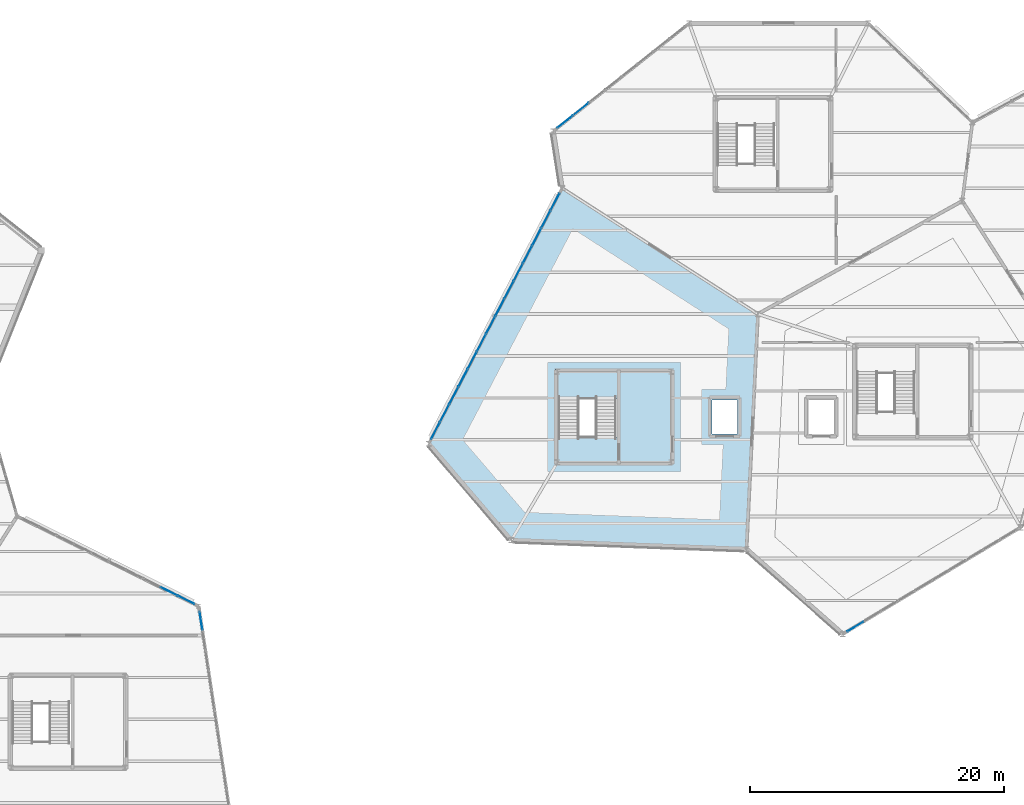
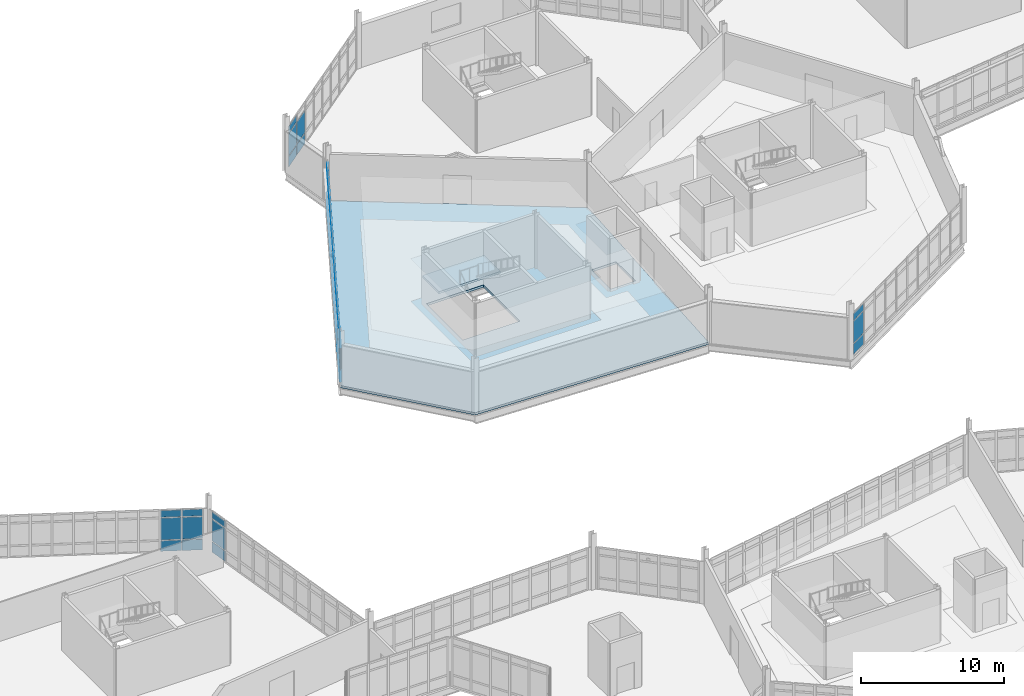
# One storey, part 94 of 134: 59 plates, 2 slabs, 6 elements without a shape of their own.
"""IFC4 building model written with IfcOpenShell, lengths in metres."""

import ifcopenshell
import ifcopenshell.guid

model = None  # the IFC model being written
_history = None  # IfcOwnerHistory: only IFC2X3 demands one
_inside = {}  # id of a spatial element -> (the spatial element, [elements in it])
_under = {}  # id of a project, library or spatial element -> (it, [spatial elements below it])
_declared = {}  # id of a project -> (the project, [libraries it declares])
_typed = {}  # id of a type object -> (the type object, [elements of that type])
_made_of = {}  # id of a material, layer set ... -> (it, [elements and type objects made of it])


def new_model(schema):
    """Start an empty IFC model of exactly this schema.

    Asked for "IFC4X3", IfcOpenShell would pick the latest addendum, in which some entities
    have other attributes; the version numbers below select the first issue.
    IFC2X3 requires an IfcOwnerHistory on every rooted entity: one is made here for all.
    """
    global model, _history
    if schema == "IFC4X3":
        model = ifcopenshell.file(schema_version=(4, 3, 0, 0))
    else:
        model = ifcopenshell.file(schema=schema)
    _inside.clear()
    _under.clear()
    _declared.clear()
    _typed.clear()
    _made_of.clear()
    _history = None
    if model.schema == "IFC2X3":
        org = make("IfcOrganization", Name="unknown")
        user = make(
            "IfcPersonAndOrganization",
            ThePerson=make("IfcPerson", FamilyName="unknown"),
            TheOrganization=org,
        )
        app = make(
            "IfcApplication",
            ApplicationDeveloper=org,
            Version="unknown",
            ApplicationFullName="unknown",
            ApplicationIdentifier="unknown",
        )
        _history = make(
            "IfcOwnerHistory",
            OwningUser=user,
            OwningApplication=app,
            ChangeAction="ADDED",
            CreationDate=0,
        )
    return model


def make(cls, **values):
    """One entity of the class cls with the attributes given. An attribute that is None is left unset."""
    return model.create_entity(
        cls, **{name: value for name, value in values.items() if value is not None}
    )


def rooted(cls, **values):
    """An entity with a GlobalId (a new one), such as an element, a storey or a relation."""
    return make(cls, GlobalId=ifcopenshell.guid.new(), OwnerHistory=_history, **values)


def si_unit(unit_type, name, prefix=None):
    """IfcSIUnit, for example si_unit("LENGTHUNIT", "METRE", prefix="MILLI")."""
    return make("IfcSIUnit", UnitType=unit_type, Prefix=prefix, Name=name)


def assignment(units):
    """IfcUnitAssignment: the units of a project."""
    return None if units is None else make("IfcUnitAssignment", Units=units)


def point(xyz):
    """IfcCartesianPoint."""
    return None if xyz is None else make("IfcCartesianPoint", Coordinates=xyz)


def direction(xyz):
    """IfcDirection."""
    return None if xyz is None else make("IfcDirection", DirectionRatios=xyz)


def frame(location, z_axis=None, x_axis=None):
    """IfcAxis2Placement3D, a coordinate frame: its origin and axes. An axis left out is left unset."""
    return make(
        "IfcAxis2Placement3D",
        Location=point(location),
        Axis=direction(z_axis),
        RefDirection=direction(x_axis),
    )


def frame_2d(location, x_axis=None):
    """IfcAxis2Placement2D, a coordinate frame in the plane: its origin and x axis."""
    return make(
        "IfcAxis2Placement2D", Location=point(location), RefDirection=direction(x_axis)
    )


def origin():
    """The frame at (0, 0, 0) with its axes left unset."""
    return frame((0.0, 0.0, 0.0))


def origin_2d():
    """The frame at (0, 0) in the plane with its x axis left unset."""
    return frame_2d((0.0, 0.0))


def place(relative_to, where):
    """IfcLocalPlacement: puts the frame where relative to a parent placement (None: the world)."""
    return make(
        "IfcLocalPlacement", PlacementRelTo=relative_to, RelativePlacement=where
    )


def context(
    kind, dimensions, precision=None, world=None, true_north=None, identifier=None
):
    """IfcGeometricRepresentationContext, for example the 3D "Model" context."""
    return make(
        "IfcGeometricRepresentationContext",
        ContextIdentifier=identifier,
        ContextType=kind,
        CoordinateSpaceDimension=dimensions,
        Precision=precision,
        WorldCoordinateSystem=world,
        TrueNorth=true_north,
    )


def subcontext(parent, identifier, kind, view, scale=None):
    """IfcGeometricRepresentationSubContext, for example "Body" below "Model"."""
    return make(
        "IfcGeometricRepresentationSubContext",
        ContextIdentifier=identifier,
        ContextType=kind,
        ParentContext=parent,
        TargetScale=scale,
        TargetView=view,
    )


def project(units=None, contexts=None):
    """IfcProject with its units and contexts."""
    return rooted(
        "IfcProject",
        Name="project",
        RepresentationContexts=contexts,
        UnitsInContext=assignment(units),
    )


def spatial(cls, under=None, at=None, **own):
    """A site, building, storey or space (cls), placed at a placement, below another one or the project."""
    s = rooted(cls, ObjectPlacement=at, **own)
    if under is not None:
        _under.setdefault(under.id(), (under, []))[1].append(s)
    return s


def polyline(points):
    """IfcPolyline through the points."""
    return make("IfcPolyline", Points=[point(p) for p in points])


def profile(cls, at=None, kind="AREA", **sizes):
    """A parametric profile (cls). Its sizes go by their IFC names, for example OverallWidth=200.0."""
    return make(cls, ProfileType=kind, Position=at, **sizes)


def rectangle(**sizes):
    """IfcRectangleProfileDef."""
    return profile("IfcRectangleProfileDef", **sizes)


def outline(outer, holes=None, kind="AREA"):
    """IfcArbitraryClosedProfileDef: a profile drawn as a closed curve; with holes, ...WithVoids."""
    if holes is None:
        return make("IfcArbitraryClosedProfileDef", ProfileType=kind, OuterCurve=outer)
    return make(
        "IfcArbitraryProfileDefWithVoids",
        ProfileType=kind,
        OuterCurve=outer,
        InnerCurves=holes,
    )


def extrude(swept, where, along, depth):
    """IfcExtrudedAreaSolid: the profile swept, set in the frame where, extruded along a direction by depth."""
    return make(
        "IfcExtrudedAreaSolid",
        SweptArea=swept,
        Position=where,
        ExtrudedDirection=direction(along),
        Depth=depth,
    )


def shape(context_of_items, identifier, shape_type, items):
    """IfcShapeRepresentation: the items that make up one representation, for example the "Body"."""
    return make(
        "IfcShapeRepresentation",
        ContextOfItems=context_of_items,
        RepresentationIdentifier=identifier,
        RepresentationType=shape_type,
        Items=items,
    )


def material(Name=None, Category=None):
    """IfcMaterial."""
    return make("IfcMaterial", Name=Name, Category=Category)


def layer(
    of_material, thickness, ventilated=None, Name=None, Category=None, Priority=None
):
    """IfcMaterialLayer: one layer of a wall or slab, of a material (None: an air gap)."""
    return make(
        "IfcMaterialLayer",
        Material=of_material,
        LayerThickness=thickness,
        IsVentilated=ventilated,
        Name=Name,
        Category=Category,
        Priority=Priority,
    )


def layer_set(layers, Name=None):
    """IfcMaterialLayerSet."""
    return make("IfcMaterialLayerSet", MaterialLayers=layers, LayerSetName=Name)


def made_of(thing, what):
    """Note that an element or type object is made of a material, layer set ...; save() writes the relation."""
    if what is not None:
        _made_of.setdefault(what.id(), (what, []))[1].append(thing)
    return thing


def type_object(cls, material=None, **own):
    """A type object (cls), such as IfcWallType, which elements share."""
    return made_of(rooted(cls, **own), material)


def element(
    cls,
    number,
    at=None,
    inside=None,
    cuts=None,
    type_object=None,
    material=None,
    context=None,
    identifier="Body",
    shape_type=None,
    held_by="IfcProductDefinitionShape",
    body=None,
    shapes=None,
    **own,
):
    """One element of the class cls, such as IfcWall. Its Tag is "e" and its number.

    at: its placement. inside: the storey or other place that contains it. cuts: it is an
    opening in that element (IfcRelVoidsElement). A single representation is given by context,
    identifier, shape_type and body (its items); several are given by shapes. held_by: the class
    of the entity that holds the representations. save() writes the other relations.
    """
    e = rooted(cls, Tag="e%d" % number, ObjectPlacement=at, **own)
    if body is not None:
        shapes = [shape(context, identifier, shape_type, body)]
    if shapes is not None:
        e.Representation = make(held_by, Representations=shapes)
    if inside is not None:
        _inside.setdefault(inside.id(), (inside, []))[1].append(e)
    if cuts is not None:
        rooted(
            "IfcRelVoidsElement", RelatingBuildingElement=cuts, RelatedOpeningElement=e
        )
    if type_object is not None:
        _typed.setdefault(type_object.id(), (type_object, []))[1].append(e)
    return made_of(e, material)


def aggregate(whole, parts):
    """IfcRelAggregates: a whole, such as a stair, and the parts it consists of."""
    return rooted("IfcRelAggregates", RelatingObject=whole, RelatedObjects=parts)


def save(model, path):
    """Write the relations noted so far, then the file.

    IfcRelAggregates (storeys below a building ...), IfcRelContainedInSpatialStructure (elements
    in a storey), IfcRelDefinesByType, IfcRelAssociatesMaterial and IfcRelDeclares: one each for
    every whole, place, type object, material and project.
    """
    for whole, parts in _under.values():
        aggregate(whole, parts)
    for where, things in _inside.values():
        rooted(
            "IfcRelContainedInSpatialStructure",
            RelatedElements=things,
            RelatingStructure=where,
        )
    for kind, things in _typed.values():
        rooted("IfcRelDefinesByType", RelatedObjects=things, RelatingType=kind)
    for what, things in _made_of.values():
        rooted("IfcRelAssociatesMaterial", RelatedObjects=things, RelatingMaterial=what)
    for by, libraries in _declared.values():
        rooted("IfcRelDeclares", RelatingContext=by, RelatedDefinitions=libraries)
    model.write(path)


model = new_model("IFC4")

# Units and contexts
model_context = context("Model", 3, precision=1e-05, world=origin(), true_north=direction((0.0, 1.0)))
body_context = subcontext(model_context, "Body", "Model", "MODEL_VIEW")
ifc_project = project(units=[si_unit("LENGTHUNIT", "METRE"), si_unit("AREAUNIT", "SQUARE_METRE"), si_unit("VOLUMEUNIT", "CUBIC_METRE"), si_unit("PLANEANGLEUNIT", "RADIAN"), si_unit("MASSUNIT", "GRAM", prefix="KILO")], contexts=[model_context])

# Site, building, storey
site_placement = place(None, origin())
site = spatial("IfcSite", under=ifc_project, at=site_placement, CompositionType="ELEMENT")
building_placement = place(site_placement, origin())
building = spatial("IfcBuilding", under=site, at=building_placement, Name="Tameran Prism Museum", CompositionType="ELEMENT")
storey_placement = place(building_placement, frame((0.0, 0.0, 5.39990234375)))
storey = spatial("IfcBuildingStorey", under=building, at=storey_placement, Name="L01", CompositionType="ELEMENT", Elevation=5.39990234375)

# Curtain wall, plates
ifc_material_1 = material(Name="Anodised Aluminium 6063-T6 and Cyclone Solar Glass", Category="aluminium")
curtain_wall_type_1 = type_object("IfcCurtainWallType", Name="CW-FAC-1563x362", PredefinedType="USERDEFINED", material=ifc_material_1)
curtain_wall_1_placement = place(storey_placement, origin())
curtain_wall_1 = element("IfcCurtainWall", 1, at=curtain_wall_1_placement, inside=storey, type_object=curtain_wall_type_1, Name="Unitised Curtain Wall CW-056", ObjectType="UNITISED CURTAIN WALL", PredefinedType="USERDEFINED")
ifc_material_2 = material(Name="Low-E Laminated Solar Glass", Category="glass")
ifc_layer_1 = layer(ifc_material_2, 0.028076171875)
ifc_layer_set_1 = layer_set([ifc_layer_1])
plate_type_1 = type_object("IfcPlateType", Name="CW-PNL-G28", PredefinedType="CURTAIN_PANEL", material=ifc_layer_set_1)
plate_1_placement = place(storey_placement, frame((126.485107421875, 64.490966796875, 0.070068359375), z_axis=(0.0, 0.0, 1.0), x_axis=(-0.857492925713, -0.514495755426, 0.0)))
plate_1 = element("IfcPlate", 2, at=plate_1_placement, type_object=plate_type_1, Name="CW-056 panel 10.1", PredefinedType="CURTAIN_PANEL", context=body_context, shape_type="SweptSolid", body=[
    extrude(rectangle(XDim=1.457763671875, YDim=0.028076171875, at=origin_2d()), origin(), (0.0, 0.0, 1.0), 0.89501953125),
])
plate_2_placement = place(storey_placement, frame((126.485107421875, 64.490966796875, 1.03515625), z_axis=(0.0, 0.0, 1.0), x_axis=(-0.857492925713, -0.514495755426, 0.0)))
plate_2 = element("IfcPlate", 3, at=plate_2_placement, type_object=plate_type_1, Name="CW-056 panel 10.2", PredefinedType="CURTAIN_PANEL", context=body_context, shape_type="SweptSolid", body=[
    extrude(rectangle(XDim=1.457763671875, YDim=0.028076171875, at=origin_2d()), origin(), (0.0, 0.0, 1.0), 1.8701171875),
])
plate_3_placement = place(storey_placement, frame((126.485107421875, 64.490966796875, 2.97509765625), z_axis=(0.0, 0.0, 1.0), x_axis=(-0.857492925713, -0.514495755426, 0.0)))
plate_3 = element("IfcPlate", 4, at=plate_3_placement, type_object=plate_type_1, Name="CW-056 panel 10.3", PredefinedType="CURTAIN_PANEL", context=body_context, shape_type="SweptSolid", body=[
    extrude(rectangle(XDim=1.457763671875, YDim=0.028076171875, at=origin_2d()), origin(), (0.0, 0.0, 1.0), 0.574951171875),
])
aggregate(curtain_wall_1, [plate_1, plate_2, plate_3])

ifc_material_3 = material(Name="Anodised Aluminium 6063-T6 and Cyclone Solar Glass", Category="aluminium")
curtain_wall_type_2 = type_object("IfcCurtainWallType", Name="CW-FAC-1734x362", PredefinedType="USERDEFINED", material=ifc_material_3)
curtain_wall_2_placement = place(storey_placement, origin())
curtain_wall_2 = element("IfcCurtainWall", 5, at=curtain_wall_2_placement, inside=storey, type_object=curtain_wall_type_2, Name="Unitised Curtain Wall CW-070", ObjectType="UNITISED CURTAIN WALL", PredefinedType="USERDEFINED")
plate_4_placement = place(storey_placement, frame((74.97265625, 64.954833984375, 0.080078125), z_axis=(0.0, 0.0, 1.0), x_axis=(0.149166532852, -0.988812088052, 0.0)))
plate_4 = element("IfcPlate", 6, at=plate_4_placement, type_object=plate_type_1, Name="CW-070 panel 1.1", PredefinedType="CURTAIN_PANEL", context=body_context, shape_type="SweptSolid", body=[
    extrude(rectangle(XDim=1.45654296875, YDim=0.028076171875, at=origin_2d()), origin(), (0.0, 0.0, 1.0), 0.8798828125),
])
plate_5_placement = place(storey_placement, frame((74.97265625, 64.954833984375, 1.0400390625), z_axis=(0.0, 0.0, 1.0), x_axis=(0.149166532852, -0.988812088052, 0.0)))
plate_5 = element("IfcPlate", 7, at=plate_5_placement, type_object=plate_type_1, Name="CW-070 panel 1.2", PredefinedType="CURTAIN_PANEL", context=body_context, shape_type="SweptSolid", body=[
    extrude(rectangle(XDim=1.45654296875, YDim=0.028076171875, at=origin_2d()), origin(), (0.0, 0.0, 1.0), 1.860107421875),
])
plate_6_placement = place(storey_placement, frame((74.97265625, 64.954833984375, 2.97998046875), z_axis=(0.0, 0.0, 1.0), x_axis=(0.149166532852, -0.988812088052, 0.0)))
plate_6 = element("IfcPlate", 8, at=plate_6_placement, type_object=plate_type_1, Name="CW-070 panel 1.3", PredefinedType="CURTAIN_PANEL", context=body_context, shape_type="SweptSolid", body=[
    extrude(rectangle(XDim=1.45654296875, YDim=0.028076171875, at=origin_2d()), origin(), (0.0, 0.0, 1.0), 0.56005859375),
])
aggregate(curtain_wall_2, [plate_4, plate_5, plate_6])

ifc_material_4 = material(Name="Anodised Aluminium 6063-T6 and Cyclone Solar Glass", Category="aluminium")
curtain_wall_type_3 = type_object("IfcCurtainWallType", Name="CW-FAC-2192x362", PredefinedType="USERDEFINED", material=ifc_material_4)
curtain_wall_3_placement = place(storey_placement, origin())
curtain_wall_3 = element("IfcCurtainWall", 9, at=curtain_wall_3_placement, inside=storey, type_object=curtain_wall_type_3, Name="Unitised Curtain Wall CW-055", ObjectType="UNITISED CURTAIN WALL", PredefinedType="USERDEFINED")
ifc_material_5 = material(Name="Cyclone Laminated Solar Glass", Category="glass")
ifc_layer_2 = layer(ifc_material_5, 0.031982421875)
ifc_layer_set_2 = layer_set([ifc_layer_2])
plate_type_2 = type_object("IfcPlateType", Name="CW-PNL-G32", PredefinedType="CURTAIN_PANEL", material=ifc_layer_set_2)
plate_7_placement = place(storey_placement, frame((93.431884765625, 79.918212890625, 0.06494140625), z_axis=(0.0, 0.0, 1.0), x_axis=(0.463002540551, 0.886356952612, 0.0)))
plate_7 = element("IfcPlate", 10, at=plate_7_placement, type_object=plate_type_2, Name="CW-055 panel 1.1", PredefinedType="CURTAIN_PANEL", context=body_context, shape_type="SweptSolid", body=[
    extrude(rectangle(XDim=1.468017578125, YDim=0.031982421875, at=origin_2d()), origin(), (0.0, 0.0, 1.0), 0.902587890625),
])
plate_8_placement = place(storey_placement, frame((93.431884765625, 79.918212890625, 1.03271484375), z_axis=(0.0, 0.0, 1.0), x_axis=(0.463002540551, 0.886356952612, 0.0)))
plate_8 = element("IfcPlate", 11, at=plate_8_placement, type_object=plate_type_2, Name="CW-055 panel 1.2", PredefinedType="CURTAIN_PANEL", context=body_context, shape_type="SweptSolid", body=[
    extrude(rectangle(XDim=1.468017578125, YDim=0.031982421875, at=origin_2d()), origin(), (0.0, 0.0, 1.0), 1.875),
])
plate_9_placement = place(storey_placement, frame((93.431884765625, 79.918212890625, 2.97265625), z_axis=(0.0, 0.0, 1.0), x_axis=(0.463002540551, 0.886356952612, 0.0)))
plate_9 = element("IfcPlate", 12, at=plate_9_placement, type_object=plate_type_2, Name="CW-055 panel 1.3", PredefinedType="CURTAIN_PANEL", context=body_context, shape_type="SweptSolid", body=[
    extrude(rectangle(XDim=1.468017578125, YDim=0.031982421875, at=origin_2d()), origin(), (0.0, 0.0, 1.0), 0.58251953125),
])
plate_10_placement = place(storey_placement, frame((94.149169921875, 81.29150390625, 0.06494140625), z_axis=(0.0, 0.0, 1.0), x_axis=(0.463002540551, 0.886356952612, 0.0)))
plate_10 = element("IfcPlate", 13, at=plate_10_placement, type_object=plate_type_2, Name="CW-055 panel 2.1", PredefinedType="CURTAIN_PANEL", context=body_context, shape_type="SweptSolid", body=[
    extrude(rectangle(XDim=1.50048828125, YDim=0.031982421875, at=origin_2d()), origin(), (0.0, 0.0, 1.0), 0.902587890625),
])
plate_11_placement = place(storey_placement, frame((94.149169921875, 81.29150390625, 1.03271484375), z_axis=(0.0, 0.0, 1.0), x_axis=(0.463002540551, 0.886356952612, 0.0)))
plate_11 = element("IfcPlate", 14, at=plate_11_placement, type_object=plate_type_2, Name="CW-055 panel 2.2", PredefinedType="CURTAIN_PANEL", context=body_context, shape_type="SweptSolid", body=[
    extrude(rectangle(XDim=1.50048828125, YDim=0.031982421875, at=origin_2d()), origin(), (0.0, 0.0, 1.0), 1.875),
])
plate_12_placement = place(storey_placement, frame((94.149169921875, 81.29150390625, 2.97265625), z_axis=(0.0, 0.0, 1.0), x_axis=(0.463002540551, 0.886356952612, 0.0)))
plate_12 = element("IfcPlate", 15, at=plate_12_placement, type_object=plate_type_2, Name="CW-055 panel 2.3", PredefinedType="CURTAIN_PANEL", context=body_context, shape_type="SweptSolid", body=[
    extrude(rectangle(XDim=1.50048828125, YDim=0.031982421875, at=origin_2d()), origin(), (0.0, 0.0, 1.0), 0.58251953125),
])
plate_13_placement = place(storey_placement, frame((94.8740234375, 82.67919921875, 0.06494140625), z_axis=(0.0, 0.0, 1.0), x_axis=(0.463002540551, 0.886356952612, 0.0)))
plate_13 = element("IfcPlate", 16, at=plate_13_placement, type_object=plate_type_2, Name="CW-055 panel 3.1", PredefinedType="CURTAIN_PANEL", context=body_context, shape_type="SweptSolid", body=[
    extrude(rectangle(XDim=1.50048828125, YDim=0.031982421875, at=origin_2d()), origin(), (0.0, 0.0, 1.0), 0.902587890625),
])
plate_14_placement = place(storey_placement, frame((94.8740234375, 82.67919921875, 1.03271484375), z_axis=(0.0, 0.0, 1.0), x_axis=(0.463002540551, 0.886356952612, 0.0)))
plate_14 = element("IfcPlate", 17, at=plate_14_placement, type_object=plate_type_2, Name="CW-055 panel 3.2", PredefinedType="CURTAIN_PANEL", context=body_context, shape_type="SweptSolid", body=[
    extrude(rectangle(XDim=1.50048828125, YDim=0.031982421875, at=origin_2d()), origin(), (0.0, 0.0, 1.0), 1.875),
])
plate_15_placement = place(storey_placement, frame((94.8740234375, 82.67919921875, 2.97265625), z_axis=(0.0, 0.0, 1.0), x_axis=(0.463002540551, 0.886356952612, 0.0)))
plate_15 = element("IfcPlate", 18, at=plate_15_placement, type_object=plate_type_2, Name="CW-055 panel 3.3", PredefinedType="CURTAIN_PANEL", context=body_context, shape_type="SweptSolid", body=[
    extrude(rectangle(XDim=1.50048828125, YDim=0.031982421875, at=origin_2d()), origin(), (0.0, 0.0, 1.0), 0.58251953125),
])
plate_16_placement = place(storey_placement, frame((95.59912109375, 84.066650390625, 0.06494140625), z_axis=(0.0, 0.0, 1.0), x_axis=(0.463002540551, 0.886356952612, 0.0)))
plate_16 = element("IfcPlate", 19, at=plate_16_placement, type_object=plate_type_2, Name="CW-055 panel 4.1", PredefinedType="CURTAIN_PANEL", context=body_context, shape_type="SweptSolid", body=[
    extrude(rectangle(XDim=1.50048828125, YDim=0.031982421875, at=origin_2d()), origin(), (0.0, 0.0, 1.0), 0.902587890625),
])
plate_17_placement = place(storey_placement, frame((95.59912109375, 84.066650390625, 1.03271484375), z_axis=(0.0, 0.0, 1.0), x_axis=(0.463002540551, 0.886356952612, 0.0)))
plate_17 = element("IfcPlate", 20, at=plate_17_placement, type_object=plate_type_2, Name="CW-055 panel 4.2", PredefinedType="CURTAIN_PANEL", context=body_context, shape_type="SweptSolid", body=[
    extrude(rectangle(XDim=1.50048828125, YDim=0.031982421875, at=origin_2d()), origin(), (0.0, 0.0, 1.0), 1.875),
])
plate_18_placement = place(storey_placement, frame((95.59912109375, 84.066650390625, 2.97265625), z_axis=(0.0, 0.0, 1.0), x_axis=(0.463002540551, 0.886356952612, 0.0)))
plate_18 = element("IfcPlate", 21, at=plate_18_placement, type_object=plate_type_2, Name="CW-055 panel 4.3", PredefinedType="CURTAIN_PANEL", context=body_context, shape_type="SweptSolid", body=[
    extrude(rectangle(XDim=1.50048828125, YDim=0.031982421875, at=origin_2d()), origin(), (0.0, 0.0, 1.0), 0.58251953125),
])
plate_19_placement = place(storey_placement, frame((96.323974609375, 85.454345703125, 0.06494140625), z_axis=(0.0, 0.0, 1.0), x_axis=(0.463002540551, 0.886356952612, 0.0)))
plate_19 = element("IfcPlate", 22, at=plate_19_placement, type_object=plate_type_2, Name="CW-055 panel 5.1", PredefinedType="CURTAIN_PANEL", context=body_context, shape_type="SweptSolid", body=[
    extrude(rectangle(XDim=1.50048828125, YDim=0.031982421875, at=origin_2d()), origin(), (0.0, 0.0, 1.0), 0.902587890625),
])
plate_20_placement = place(storey_placement, frame((96.323974609375, 85.454345703125, 1.03271484375), z_axis=(0.0, 0.0, 1.0), x_axis=(0.463002540551, 0.886356952612, 0.0)))
plate_20 = element("IfcPlate", 23, at=plate_20_placement, type_object=plate_type_2, Name="CW-055 panel 5.2", PredefinedType="CURTAIN_PANEL", context=body_context, shape_type="SweptSolid", body=[
    extrude(rectangle(XDim=1.50048828125, YDim=0.031982421875, at=origin_2d()), origin(), (0.0, 0.0, 1.0), 1.875),
])
plate_21_placement = place(storey_placement, frame((96.323974609375, 85.454345703125, 2.97265625), z_axis=(0.0, 0.0, 1.0), x_axis=(0.463002540551, 0.886356952612, 0.0)))
plate_21 = element("IfcPlate", 24, at=plate_21_placement, type_object=plate_type_2, Name="CW-055 panel 5.3", PredefinedType="CURTAIN_PANEL", context=body_context, shape_type="SweptSolid", body=[
    extrude(rectangle(XDim=1.50048828125, YDim=0.031982421875, at=origin_2d()), origin(), (0.0, 0.0, 1.0), 0.58251953125),
])
plate_22_placement = place(storey_placement, frame((97.048828125, 86.842041015625, 0.06494140625), z_axis=(0.0, 0.0, 1.0), x_axis=(0.463002540551, 0.886356952612, 0.0)))
plate_22 = element("IfcPlate", 25, at=plate_22_placement, type_object=plate_type_2, Name="CW-055 panel 6.1", PredefinedType="CURTAIN_PANEL", context=body_context, shape_type="SweptSolid", body=[
    extrude(rectangle(XDim=1.50048828125, YDim=0.031982421875, at=origin_2d()), origin(), (0.0, 0.0, 1.0), 0.902587890625),
])
plate_23_placement = place(storey_placement, frame((97.048828125, 86.842041015625, 1.03271484375), z_axis=(0.0, 0.0, 1.0), x_axis=(0.463002540551, 0.886356952612, 0.0)))
plate_23 = element("IfcPlate", 26, at=plate_23_placement, type_object=plate_type_2, Name="CW-055 panel 6.2", PredefinedType="CURTAIN_PANEL", context=body_context, shape_type="SweptSolid", body=[
    extrude(rectangle(XDim=1.50048828125, YDim=0.031982421875, at=origin_2d()), origin(), (0.0, 0.0, 1.0), 1.875),
])
plate_24_placement = place(storey_placement, frame((97.048828125, 86.842041015625, 2.97265625), z_axis=(0.0, 0.0, 1.0), x_axis=(0.463002540551, 0.886356952612, 0.0)))
plate_24 = element("IfcPlate", 27, at=plate_24_placement, type_object=plate_type_2, Name="CW-055 panel 6.3", PredefinedType="CURTAIN_PANEL", context=body_context, shape_type="SweptSolid", body=[
    extrude(rectangle(XDim=1.50048828125, YDim=0.031982421875, at=origin_2d()), origin(), (0.0, 0.0, 1.0), 0.58251953125),
])
plate_25_placement = place(storey_placement, frame((97.773681640625, 88.229736328125, 0.06494140625), z_axis=(0.0, 0.0, 1.0), x_axis=(0.463002540551, 0.886356952612, 0.0)))
plate_25 = element("IfcPlate", 28, at=plate_25_placement, type_object=plate_type_2, Name="CW-055 panel 7.1", PredefinedType="CURTAIN_PANEL", context=body_context, shape_type="SweptSolid", body=[
    extrude(rectangle(XDim=1.50048828125, YDim=0.031982421875, at=origin_2d()), origin(), (0.0, 0.0, 1.0), 0.902587890625),
])
plate_26_placement = place(storey_placement, frame((97.773681640625, 88.229736328125, 1.03271484375), z_axis=(0.0, 0.0, 1.0), x_axis=(0.463002540551, 0.886356952612, 0.0)))
plate_26 = element("IfcPlate", 29, at=plate_26_placement, type_object=plate_type_2, Name="CW-055 panel 7.2", PredefinedType="CURTAIN_PANEL", context=body_context, shape_type="SweptSolid", body=[
    extrude(rectangle(XDim=1.50048828125, YDim=0.031982421875, at=origin_2d()), origin(), (0.0, 0.0, 1.0), 1.875),
])
plate_27_placement = place(storey_placement, frame((97.773681640625, 88.229736328125, 2.97265625), z_axis=(0.0, 0.0, 1.0), x_axis=(0.463002540551, 0.886356952612, 0.0)))
plate_27 = element("IfcPlate", 30, at=plate_27_placement, type_object=plate_type_2, Name="CW-055 panel 7.3", PredefinedType="CURTAIN_PANEL", context=body_context, shape_type="SweptSolid", body=[
    extrude(rectangle(XDim=1.50048828125, YDim=0.031982421875, at=origin_2d()), origin(), (0.0, 0.0, 1.0), 0.58251953125),
])
plate_28_placement = place(storey_placement, frame((98.49853515625, 89.617431640625, 0.06494140625), z_axis=(0.0, 0.0, 1.0), x_axis=(0.463002540551, 0.886356952612, 0.0)))
plate_28 = element("IfcPlate", 31, at=plate_28_placement, type_object=plate_type_2, Name="CW-055 panel 8.1", PredefinedType="CURTAIN_PANEL", context=body_context, shape_type="SweptSolid", body=[
    extrude(rectangle(XDim=1.50048828125, YDim=0.031982421875, at=origin_2d()), origin(), (0.0, 0.0, 1.0), 0.902587890625),
])
plate_29_placement = place(storey_placement, frame((98.49853515625, 89.617431640625, 1.03271484375), z_axis=(0.0, 0.0, 1.0), x_axis=(0.463002540551, 0.886356952612, 0.0)))
plate_29 = element("IfcPlate", 32, at=plate_29_placement, type_object=plate_type_2, Name="CW-055 panel 8.2", PredefinedType="CURTAIN_PANEL", context=body_context, shape_type="SweptSolid", body=[
    extrude(rectangle(XDim=1.50048828125, YDim=0.031982421875, at=origin_2d()), origin(), (0.0, 0.0, 1.0), 1.875),
])
plate_30_placement = place(storey_placement, frame((98.49853515625, 89.617431640625, 2.97265625), z_axis=(0.0, 0.0, 1.0), x_axis=(0.463002540551, 0.886356952612, 0.0)))
plate_30 = element("IfcPlate", 33, at=plate_30_placement, type_object=plate_type_2, Name="CW-055 panel 8.3", PredefinedType="CURTAIN_PANEL", context=body_context, shape_type="SweptSolid", body=[
    extrude(rectangle(XDim=1.50048828125, YDim=0.031982421875, at=origin_2d()), origin(), (0.0, 0.0, 1.0), 0.58251953125),
])
plate_31_placement = place(storey_placement, frame((99.223388671875, 91.0048828125, 0.06494140625), z_axis=(0.0, 0.0, 1.0), x_axis=(0.463002540551, 0.886356952612, 0.0)))
plate_31 = element("IfcPlate", 34, at=plate_31_placement, type_object=plate_type_2, Name="CW-055 panel 9.1", PredefinedType="CURTAIN_PANEL", context=body_context, shape_type="SweptSolid", body=[
    extrude(rectangle(XDim=1.50048828125, YDim=0.031982421875, at=origin_2d()), origin(), (0.0, 0.0, 1.0), 0.902587890625),
])
plate_32_placement = place(storey_placement, frame((99.223388671875, 91.0048828125, 1.03271484375), z_axis=(0.0, 0.0, 1.0), x_axis=(0.463002540551, 0.886356952612, 0.0)))
plate_32 = element("IfcPlate", 35, at=plate_32_placement, type_object=plate_type_2, Name="CW-055 panel 9.2", PredefinedType="CURTAIN_PANEL", context=body_context, shape_type="SweptSolid", body=[
    extrude(rectangle(XDim=1.50048828125, YDim=0.031982421875, at=origin_2d()), origin(), (0.0, 0.0, 1.0), 1.875),
])
plate_33_placement = place(storey_placement, frame((99.223388671875, 91.0048828125, 2.97265625), z_axis=(0.0, 0.0, 1.0), x_axis=(0.463002540551, 0.886356952612, 0.0)))
plate_33 = element("IfcPlate", 36, at=plate_33_placement, type_object=plate_type_2, Name="CW-055 panel 9.3", PredefinedType="CURTAIN_PANEL", context=body_context, shape_type="SweptSolid", body=[
    extrude(rectangle(XDim=1.50048828125, YDim=0.031982421875, at=origin_2d()), origin(), (0.0, 0.0, 1.0), 0.58251953125),
])
plate_34_placement = place(storey_placement, frame((99.9482421875, 92.392578125, 0.06494140625), z_axis=(0.0, 0.0, 1.0), x_axis=(0.463002540551, 0.886356952612, 0.0)))
plate_34 = element("IfcPlate", 37, at=plate_34_placement, type_object=plate_type_2, Name="CW-055 panel 10.1", PredefinedType="CURTAIN_PANEL", context=body_context, shape_type="SweptSolid", body=[
    extrude(rectangle(XDim=1.50048828125, YDim=0.031982421875, at=origin_2d()), origin(), (0.0, 0.0, 1.0), 0.902587890625),
])
plate_35_placement = place(storey_placement, frame((99.9482421875, 92.392578125, 1.03271484375), z_axis=(0.0, 0.0, 1.0), x_axis=(0.463002540551, 0.886356952612, 0.0)))
plate_35 = element("IfcPlate", 38, at=plate_35_placement, type_object=plate_type_2, Name="CW-055 panel 10.2", PredefinedType="CURTAIN_PANEL", context=body_context, shape_type="SweptSolid", body=[
    extrude(rectangle(XDim=1.50048828125, YDim=0.031982421875, at=origin_2d()), origin(), (0.0, 0.0, 1.0), 1.875),
])
plate_36_placement = place(storey_placement, frame((99.9482421875, 92.392578125, 2.97265625), z_axis=(0.0, 0.0, 1.0), x_axis=(0.463002540551, 0.886356952612, 0.0)))
plate_36 = element("IfcPlate", 39, at=plate_36_placement, type_object=plate_type_2, Name="CW-055 panel 10.3", PredefinedType="CURTAIN_PANEL", context=body_context, shape_type="SweptSolid", body=[
    extrude(rectangle(XDim=1.50048828125, YDim=0.031982421875, at=origin_2d()), origin(), (0.0, 0.0, 1.0), 0.58251953125),
])
plate_37_placement = place(storey_placement, frame((100.673095703125, 93.7802734375, 0.06494140625), z_axis=(0.0, 0.0, 1.0), x_axis=(0.463002540551, 0.886356952612, 0.0)))
plate_37 = element("IfcPlate", 40, at=plate_37_placement, type_object=plate_type_2, Name="CW-055 panel 11.1", PredefinedType="CURTAIN_PANEL", context=body_context, shape_type="SweptSolid", body=[
    extrude(rectangle(XDim=1.50048828125, YDim=0.031982421875, at=origin_2d()), origin(), (0.0, 0.0, 1.0), 0.902587890625),
])
plate_38_placement = place(storey_placement, frame((100.673095703125, 93.7802734375, 1.03271484375), z_axis=(0.0, 0.0, 1.0), x_axis=(0.463002540551, 0.886356952612, 0.0)))
plate_38 = element("IfcPlate", 41, at=plate_38_placement, type_object=plate_type_2, Name="CW-055 panel 11.2", PredefinedType="CURTAIN_PANEL", context=body_context, shape_type="SweptSolid", body=[
    extrude(rectangle(XDim=1.50048828125, YDim=0.031982421875, at=origin_2d()), origin(), (0.0, 0.0, 1.0), 1.875),
])
plate_39_placement = place(storey_placement, frame((100.673095703125, 93.7802734375, 2.97265625), z_axis=(0.0, 0.0, 1.0), x_axis=(0.463002540551, 0.886356952612, 0.0)))
plate_39 = element("IfcPlate", 42, at=plate_39_placement, type_object=plate_type_2, Name="CW-055 panel 11.3", PredefinedType="CURTAIN_PANEL", context=body_context, shape_type="SweptSolid", body=[
    extrude(rectangle(XDim=1.50048828125, YDim=0.031982421875, at=origin_2d()), origin(), (0.0, 0.0, 1.0), 0.58251953125),
])
plate_40_placement = place(storey_placement, frame((101.39794921875, 95.16796875, 0.06494140625), z_axis=(0.0, 0.0, 1.0), x_axis=(0.463002540551, 0.886356952612, 0.0)))
plate_40 = element("IfcPlate", 43, at=plate_40_placement, type_object=plate_type_2, Name="CW-055 panel 12.1", PredefinedType="CURTAIN_PANEL", context=body_context, shape_type="SweptSolid", body=[
    extrude(rectangle(XDim=1.50048828125, YDim=0.031982421875, at=origin_2d()), origin(), (0.0, 0.0, 1.0), 0.902587890625),
])
plate_41_placement = place(storey_placement, frame((101.39794921875, 95.16796875, 1.03271484375), z_axis=(0.0, 0.0, 1.0), x_axis=(0.463002540551, 0.886356952612, 0.0)))
plate_41 = element("IfcPlate", 44, at=plate_41_placement, type_object=plate_type_2, Name="CW-055 panel 12.2", PredefinedType="CURTAIN_PANEL", context=body_context, shape_type="SweptSolid", body=[
    extrude(rectangle(XDim=1.50048828125, YDim=0.031982421875, at=origin_2d()), origin(), (0.0, 0.0, 1.0), 1.875),
])
plate_42_placement = place(storey_placement, frame((101.39794921875, 95.16796875, 2.97265625), z_axis=(0.0, 0.0, 1.0), x_axis=(0.463002540551, 0.886356952612, 0.0)))
plate_42 = element("IfcPlate", 45, at=plate_42_placement, type_object=plate_type_2, Name="CW-055 panel 12.3", PredefinedType="CURTAIN_PANEL", context=body_context, shape_type="SweptSolid", body=[
    extrude(rectangle(XDim=1.50048828125, YDim=0.031982421875, at=origin_2d()), origin(), (0.0, 0.0, 1.0), 0.58251953125),
])
plate_43_placement = place(storey_placement, frame((102.122802734375, 96.555419921875, 0.06494140625), z_axis=(0.0, 0.0, 1.0), x_axis=(0.463002540551, 0.886356952612, 0.0)))
plate_43 = element("IfcPlate", 46, at=plate_43_placement, type_object=plate_type_2, Name="CW-055 panel 13.1", PredefinedType="CURTAIN_PANEL", context=body_context, shape_type="SweptSolid", body=[
    extrude(rectangle(XDim=1.50048828125, YDim=0.031982421875, at=origin_2d()), origin(), (0.0, 0.0, 1.0), 0.902587890625),
])
plate_44_placement = place(storey_placement, frame((102.122802734375, 96.555419921875, 1.03271484375), z_axis=(0.0, 0.0, 1.0), x_axis=(0.463002540551, 0.886356952612, 0.0)))
plate_44 = element("IfcPlate", 47, at=plate_44_placement, type_object=plate_type_2, Name="CW-055 panel 13.2", PredefinedType="CURTAIN_PANEL", context=body_context, shape_type="SweptSolid", body=[
    extrude(rectangle(XDim=1.50048828125, YDim=0.031982421875, at=origin_2d()), origin(), (0.0, 0.0, 1.0), 1.875),
])
plate_45_placement = place(storey_placement, frame((102.122802734375, 96.555419921875, 2.97265625), z_axis=(0.0, 0.0, 1.0), x_axis=(0.463002540551, 0.886356952612, 0.0)))
plate_45 = element("IfcPlate", 48, at=plate_45_placement, type_object=plate_type_2, Name="CW-055 panel 13.3", PredefinedType="CURTAIN_PANEL", context=body_context, shape_type="SweptSolid", body=[
    extrude(rectangle(XDim=1.50048828125, YDim=0.031982421875, at=origin_2d()), origin(), (0.0, 0.0, 1.0), 0.58251953125),
])
plate_46_placement = place(storey_placement, frame((102.840087890625, 97.9287109375, 0.06494140625), z_axis=(0.0, 0.0, 1.0), x_axis=(0.463002540551, 0.886356952612, 0.0)))
plate_46 = element("IfcPlate", 49, at=plate_46_placement, type_object=plate_type_2, Name="CW-055 panel 14.1", PredefinedType="CURTAIN_PANEL", context=body_context, shape_type="SweptSolid", body=[
    extrude(rectangle(XDim=1.468017578125, YDim=0.031982421875, at=origin_2d()), origin(), (0.0, 0.0, 1.0), 0.902587890625),
])
plate_47_placement = place(storey_placement, frame((102.840087890625, 97.9287109375, 1.03271484375), z_axis=(0.0, 0.0, 1.0), x_axis=(0.463002540551, 0.886356952612, 0.0)))
plate_47 = element("IfcPlate", 50, at=plate_47_placement, type_object=plate_type_2, Name="CW-055 panel 14.2", PredefinedType="CURTAIN_PANEL", context=body_context, shape_type="SweptSolid", body=[
    extrude(rectangle(XDim=1.468017578125, YDim=0.031982421875, at=origin_2d()), origin(), (0.0, 0.0, 1.0), 1.875),
])
plate_48_placement = place(storey_placement, frame((102.840087890625, 97.9287109375, 2.97265625), z_axis=(0.0, 0.0, 1.0), x_axis=(0.463002540551, 0.886356952612, 0.0)))
plate_48 = element("IfcPlate", 51, at=plate_48_placement, type_object=plate_type_2, Name="CW-055 panel 14.3", PredefinedType="CURTAIN_PANEL", context=body_context, shape_type="SweptSolid", body=[
    extrude(rectangle(XDim=1.468017578125, YDim=0.031982421875, at=origin_2d()), origin(), (0.0, 0.0, 1.0), 0.58251953125),
])
aggregate(curtain_wall_3, [plate_7, plate_8, plate_9, plate_10, plate_11, plate_12, plate_13, plate_14, plate_15, plate_16, plate_17, plate_18, plate_19, plate_20, plate_21, plate_22, plate_23, plate_24, plate_25, plate_26, plate_27, plate_28, plate_29, plate_30, plate_31, plate_32, plate_33, plate_34, plate_35, plate_36, plate_37, plate_38, plate_39, plate_40, plate_41, plate_42, plate_43, plate_44, plate_45, plate_46, plate_47, plate_48])

ifc_material_6 = material(Name="Anodised Aluminium 6063-T6 and Cyclone Solar Glass", Category="aluminium")
curtain_wall_type_4 = type_object("IfcCurtainWallType", Name="CW-FAC-1296x362", PredefinedType="USERDEFINED", material=ifc_material_6)
curtain_wall_4_placement = place(storey_placement, origin())
curtain_wall_4 = element("IfcCurtainWall", 52, at=curtain_wall_4_placement, inside=storey, type_object=curtain_wall_type_4, Name="Unitised Curtain Wall CW-058", ObjectType="UNITISED CURTAIN WALL", PredefinedType="USERDEFINED")
plate_49_placement = place(storey_placement, frame((103.624267578125, 104.234375, 0.080078125), z_axis=(0.0, 0.0, 1.0), x_axis=(0.783031296178, 0.621982306183, 0.0)))
plate_49 = element("IfcPlate", 53, at=plate_49_placement, type_object=plate_type_2, Name="CW-058 panel 1.1", PredefinedType="CURTAIN_PANEL", context=body_context, shape_type="SweptSolid", body=[
    extrude(rectangle(XDim=1.500732421875, YDim=0.031982421875, at=origin_2d()), origin(), (0.0, 0.0, 1.0), 0.8798828125),
])
plate_50_placement = place(storey_placement, frame((103.624267578125, 104.234375, 1.0400390625), z_axis=(0.0, 0.0, 1.0), x_axis=(0.783031296178, 0.621982306183, 0.0)))
plate_50 = element("IfcPlate", 54, at=plate_50_placement, type_object=plate_type_2, Name="CW-058 panel 1.2", PredefinedType="CURTAIN_PANEL", context=body_context, shape_type="SweptSolid", body=[
    extrude(rectangle(XDim=1.500732421875, YDim=0.031982421875, at=origin_2d()), origin(), (0.0, 0.0, 1.0), 1.860107421875),
])
plate_51_placement = place(storey_placement, frame((103.624267578125, 104.234375, 2.97998046875), z_axis=(0.0, 0.0, 1.0), x_axis=(0.783031296178, 0.621982306183, 0.0)))
plate_51 = element("IfcPlate", 55, at=plate_51_placement, type_object=plate_type_2, Name="CW-058 panel 1.3", PredefinedType="CURTAIN_PANEL", context=body_context, shape_type="SweptSolid", body=[
    extrude(rectangle(XDim=1.500732421875, YDim=0.031982421875, at=origin_2d()), origin(), (0.0, 0.0, 1.0), 0.56005859375),
])
plate_52_placement = place(storey_placement, frame((104.87744140625, 105.22998046875, 0.080078125), z_axis=(0.0, 0.0, 1.0), x_axis=(0.783031296178, 0.621982306183, 0.0)))
plate_52 = element("IfcPlate", 56, at=plate_52_placement, type_object=plate_type_2, Name="CW-058 panel 2.1", PredefinedType="CURTAIN_PANEL", context=body_context, shape_type="SweptSolid", body=[
    extrude(rectangle(XDim=1.54052734375, YDim=0.031982421875, at=origin_2d()), origin(), (0.0, 0.0, 1.0), 0.8798828125),
])
plate_53_placement = place(storey_placement, frame((104.87744140625, 105.22998046875, 1.0400390625), z_axis=(0.0, 0.0, 1.0), x_axis=(0.783031296178, 0.621982306183, 0.0)))
plate_53 = element("IfcPlate", 57, at=plate_53_placement, type_object=plate_type_2, Name="CW-058 panel 2.2", PredefinedType="CURTAIN_PANEL", context=body_context, shape_type="SweptSolid", body=[
    extrude(rectangle(XDim=1.54052734375, YDim=0.031982421875, at=origin_2d()), origin(), (0.0, 0.0, 1.0), 1.860107421875),
])
aggregate(curtain_wall_4, [plate_49, plate_50, plate_51, plate_52, plate_53])

ifc_material_7 = material(Name="Anodised Aluminium 6063-T6 and Cyclone Solar Glass", Category="aluminium")
curtain_wall_type_5 = type_object("IfcCurtainWallType", Name="CW-FAC-1520x362", PredefinedType="USERDEFINED", material=ifc_material_7)
curtain_wall_5_placement = place(storey_placement, origin())
curtain_wall_5 = element("IfcCurtainWall", 58, at=curtain_wall_5_placement, inside=storey, type_object=curtain_wall_type_5, Name="Unitised Curtain Wall CW-071", ObjectType="UNITISED CURTAIN WALL", PredefinedType="USERDEFINED")
plate_54_placement = place(storey_placement, frame((72.444091796875, 67.270263671875, 0.06494140625), z_axis=(0.0, 0.0, 1.0), x_axis=(0.895712459966, -0.444633769593, 0.0)))
plate_54 = element("IfcPlate", 59, at=plate_54_placement, type_object=plate_type_2, Name="CW-071 panel 9.1", PredefinedType="CURTAIN_PANEL", context=body_context, shape_type="SweptSolid", body=[
    extrude(rectangle(XDim=1.45556640625, YDim=0.031982421875, at=origin_2d()), origin(), (0.0, 0.0, 1.0), 0.902587890625),
])
plate_55_placement = place(storey_placement, frame((72.444091796875, 67.270263671875, 1.03271484375), z_axis=(0.0, 0.0, 1.0), x_axis=(0.895712459966, -0.444633769593, 0.0)))
plate_55 = element("IfcPlate", 60, at=plate_55_placement, type_object=plate_type_2, Name="CW-071 panel 9.2", PredefinedType="CURTAIN_PANEL", context=body_context, shape_type="SweptSolid", body=[
    extrude(rectangle(XDim=1.45556640625, YDim=0.031982421875, at=origin_2d()), origin(), (0.0, 0.0, 1.0), 1.875),
])
plate_56_placement = place(storey_placement, frame((72.444091796875, 67.270263671875, 2.97265625), z_axis=(0.0, 0.0, 1.0), x_axis=(0.895712459966, -0.444633769593, 0.0)))
plate_56 = element("IfcPlate", 61, at=plate_56_placement, type_object=plate_type_2, Name="CW-071 panel 9.3", PredefinedType="CURTAIN_PANEL", context=body_context, shape_type="SweptSolid", body=[
    extrude(rectangle(XDim=1.45556640625, YDim=0.031982421875, at=origin_2d()), origin(), (0.0, 0.0, 1.0), 0.58251953125),
])
plate_57_placement = place(storey_placement, frame((73.79150390625, 66.601318359375, 0.06494140625), z_axis=(0.0, 0.0, 1.0), x_axis=(0.895712459966, -0.444633769593, 0.0)))
plate_57 = element("IfcPlate", 62, at=plate_57_placement, type_object=plate_type_2, Name="CW-071 panel 10.1", PredefinedType="CURTAIN_PANEL", context=body_context, shape_type="SweptSolid", body=[
    extrude(rectangle(XDim=1.423095703125, YDim=0.031982421875, at=origin_2d()), origin(), (0.0, 0.0, 1.0), 0.902587890625),
])
plate_58_placement = place(storey_placement, frame((73.79150390625, 66.601318359375, 1.03271484375), z_axis=(0.0, 0.0, 1.0), x_axis=(0.895712459966, -0.444633769593, 0.0)))
plate_58 = element("IfcPlate", 63, at=plate_58_placement, type_object=plate_type_2, Name="CW-071 panel 10.2", PredefinedType="CURTAIN_PANEL", context=body_context, shape_type="SweptSolid", body=[
    extrude(rectangle(XDim=1.423095703125, YDim=0.031982421875, at=origin_2d()), origin(), (0.0, 0.0, 1.0), 1.875),
])
plate_59_placement = place(storey_placement, frame((73.79150390625, 66.601318359375, 2.97265625), z_axis=(0.0, 0.0, 1.0), x_axis=(0.895712459966, -0.444633769593, 0.0)))
plate_59 = element("IfcPlate", 64, at=plate_59_placement, type_object=plate_type_2, Name="CW-071 panel 10.3", PredefinedType="CURTAIN_PANEL", context=body_context, shape_type="SweptSolid", body=[
    extrude(rectangle(XDim=1.423095703125, YDim=0.031982421875, at=origin_2d()), origin(), (0.0, 0.0, 1.0), 0.58251953125),
])
aggregate(curtain_wall_5, [plate_54, plate_55, plate_56, plate_57, plate_58, plate_59])

# Slab
ifc_material_8 = material(Name="Concrete N32 (32 MPa)", Category="concrete")
ifc_layer_3 = layer(ifc_material_8, 0.199951171875)
ifc_layer_set_3 = layer_set([ifc_layer_3])
slab_type_1 = type_object("IfcSlabType", Name="SL-FLR-200", PredefinedType="FLOOR", material=ifc_layer_set_3)
slab_1_placement = place(storey_placement, frame((0.0, 0.0, -0.199951171875)))
element("IfcSlab", 65, at=slab_1_placement, inside=storey, type_object=slab_type_1, Name="Floor Slab FS-P01-L01", PredefinedType="FLOOR", context=body_context, shape_type="SweptSolid", body=[
    extrude(outline(polyline([(92.89990234375, 78.89990234375), (103.39990234375, 99.0), (118.800048828125, 89.10009765625), (117.89990234375, 70.60009765625), (99.39990234375, 71.300048828125), (92.89990234375, 78.89990234375)]), holes=[polyline([(117.199951171875, 79.64990234375), (117.199951171875, 82.35009765625), (115.199951171875, 82.35009765625), (115.199951171875, 79.64990234375), (117.199951171875, 79.64990234375)]), polyline([(107.719970703125, 79.43994140625), (107.719970703125, 84.550048828125), (103.10009765625, 84.550048828125), (103.10009765625, 79.43994140625), (107.719970703125, 79.43994140625)])]), origin(), (0.0, 0.0, 1.0), 0.199951171875),
])

# Stair, slab
ifc_material_9 = material(Name="Concrete N40 (40 MPa)", Category="concrete")
stair_type = type_object("IfcStairType", Name="ST-CORE-48", PredefinedType="HALF_TURN_STAIR", material=ifc_material_9)
stair_placement = place(storey_placement, origin())
stair = element("IfcStair", 66, at=stair_placement, inside=storey, type_object=stair_type, Name="Fire-Isolated Stair ST-01-L01", PredefinedType="HALF_TURN_STAIR")
ifc_material_10 = material(Name="Concrete N40 (40 MPa)", Category="concrete")
ifc_layer_4 = layer(ifc_material_10, 0.18505859375)
ifc_layer_set_4 = layer_set([ifc_layer_4])
slab_type_2 = type_object("IfcSlabType", Name="SL-LND-185", PredefinedType="LANDING", material=ifc_layer_set_4)
slab_2_placement = place(storey_placement, frame((0.0, 0.0, 2.215087890625)))
slab_2 = element("IfcSlab", 67, at=slab_2_placement, type_object=slab_type_2, Name="ST-01-L01 landing 1", PredefinedType="LANDING", context=body_context, shape_type="SweptSolid", body=[
    extrude(outline(polyline([(102.8798828125, 82.4150390625), (107.8701171875, 82.4150390625), (107.8701171875, 84.719970703125), (102.8798828125, 84.719970703125), (102.8798828125, 82.4150390625)])), origin(), (0.0, 0.0, 1.0), 0.18505859375),
])
aggregate(stair, [slab_2])

save(model, "model.ifc")
